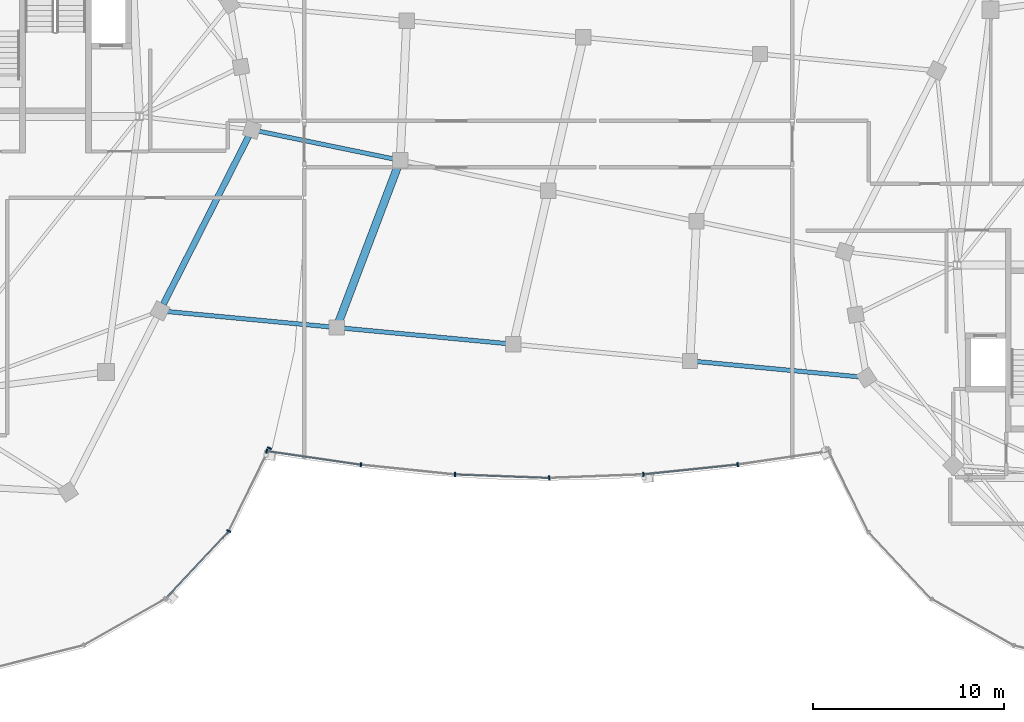
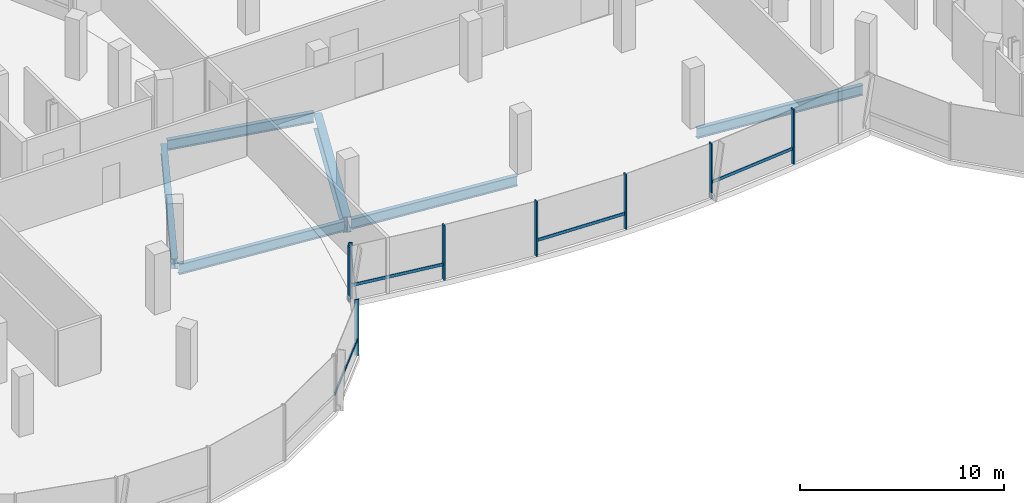
# One storey, part 4 of 24: 12 members, 6 beams, 2 elements without a shape of their own.
"""IFC4 building model written with IfcOpenShell, lengths in metres."""

from ifc_helpers import new_model, si_unit, direction, frame, origin, origin_2d, place, context, subcontext, project, spatial, rectangle, i_section, extrude, material, material_profile, profile_set, type_object, element, aggregate, save


model = new_model("IFC4")

# Units and contexts
model_context = context("Model", 3, precision=1e-05, world=origin(), true_north=direction((0.0, 1.0)))
body_context = subcontext(model_context, "Body", "Model", "MODEL_VIEW")
ifc_project = project(units=[si_unit("LENGTHUNIT", "METRE"), si_unit("AREAUNIT", "SQUARE_METRE"), si_unit("VOLUMEUNIT", "CUBIC_METRE"), si_unit("PLANEANGLEUNIT", "RADIAN"), si_unit("MASSUNIT", "GRAM", prefix="KILO"), si_unit("THERMODYNAMICTEMPERATUREUNIT", "KELVIN"), si_unit("POWERUNIT", "WATT")], contexts=[model_context])

# Site, building, storey
site_placement = place(None, origin())
site = spatial("IfcSite", under=ifc_project, at=site_placement, CompositionType="ELEMENT")
building_placement = place(site_placement, origin())
building = spatial("IfcBuilding", under=site, at=building_placement, Name="Cundina Bronze Exchange", CompositionType="ELEMENT")
storey_placement = place(building_placement, frame((0.0, 0.0, 268.39990234375)))
storey = spatial("IfcBuildingStorey", under=building, at=storey_placement, Name="L71", CompositionType="ELEMENT", Elevation=268.39990234375)

# Beams
ifc_material_1 = material(Name="Steel ASTM A992 Grade 50", Category="steel")
ifc_material_profile_1 = material_profile(ifc_material_1, i_section(OverallWidth=0.22998046875, OverallDepth=0.616943359375, WebThickness=0.01318359375, FlangeThickness=0.022216796875, FilletRadius=0.013916015625, at=origin_2d()), Name="W24X94", Category="steel")
ifc_profile_set_1 = profile_set([ifc_material_profile_1], Name="Steel ASTM A992 Grade 50")
beam_type_1 = type_object("IfcBeamType", Name="BM-FLR-W24B", PredefinedType="BEAM", material=ifc_profile_set_1)
for number, where, z_axis, x_axis, name in (
    (1, (-20.19580078125, -6.31689453125, -0.62841796875), (0.995572136276, -0.094000646124, 0.0), (0.094000646124, 0.995572136276, 0.0), "L71 Sky-Gate Longitudinal Girder Y1-P1"),
    (2, (-10.927001953125, -7.19189453125, -0.62841796875), (0.995572136276, -0.094000646124, 0.0), (0.094000646124, 0.995572136276, 0.0), "L71 Sky-Gate Longitudinal Girder Y1-P2"),
):
    element("IfcBeam", number, at=place(storey_placement, frame(where, z_axis=z_axis, x_axis=x_axis)), inside=storey, type_object=beam_type_1, Name=name, PredefinedType="BEAM", context=body_context, shape_type="SweptSolid", body=[
        extrude(i_section(OverallWidth=0.22998046875, OverallDepth=0.616943359375, WebThickness=0.01318359375, FlangeThickness=0.022216796875, FilletRadius=0.013916015625, at=origin_2d()), origin(), (0.0, 0.0, 1.0), 8.949951171875),
    ])
beam_1_placement = place(storey_placement, frame((7.610595703125, -8.94189453125, -0.62841796875), z_axis=(0.995571895232, -0.094003199007, 0.0), x_axis=(0.094003199007, 0.995571895232, 0.0)))
element("IfcBeam", 3, at=beam_1_placement, inside=storey, type_object=beam_type_1, Name="L71 Sky-Gate Longitudinal Girder Y1-P4", PredefinedType="BEAM", context=body_context, shape_type="SweptSolid", body=[
    extrude(i_section(OverallWidth=0.22998046875, OverallDepth=0.616943359375, WebThickness=0.01318359375, FlangeThickness=0.022216796875, FilletRadius=0.013916015625, at=origin_2d()), origin(), (0.0, 0.0, 1.0), 8.94970703125),
])
beam_2_placement = place(storey_placement, frame((-15.373779296875, 3.163818359375, -0.62841796875), z_axis=(0.979471264571, -0.20158383338, 0.0), x_axis=(0.20158383338, 0.979471264571, 0.0)))
element("IfcBeam", 4, at=beam_2_placement, inside=storey, type_object=beam_type_1, Name="L71 Sky-Gate Longitudinal Girder Y2-P1", PredefinedType="BEAM", context=body_context, shape_type="SweptSolid", body=[
    extrude(i_section(OverallWidth=0.22998046875, OverallDepth=0.616943359375, WebThickness=0.01318359375, FlangeThickness=0.022216796875, FilletRadius=0.013916015625, at=origin_2d()), origin(), (0.0, 0.0, 1.0), 7.577880859375),
])
ifc_material_profile_2 = material_profile(ifc_material_1, i_section(OverallWidth=0.324951171875, OverallDepth=0.615966796875, WebThickness=0.013916015625, FlangeThickness=0.021484375, FilletRadius=0.01611328125, at=origin_2d()), Name="W24X117", Category="steel")
ifc_profile_set_2 = profile_set([ifc_material_profile_2], Name="Steel ASTM A992 Grade 50")
beam_type_2 = type_object("IfcBeamType", Name="BM-RING-W24", PredefinedType="USERDEFINED", material=ifc_profile_set_2)
beam_3_placement = place(storey_placement, frame((-20.19921875, -5.9541015625, -0.56787109375), z_axis=(0.452839263805, 0.891592171991, 0.0), x_axis=(-0.891592171991, 0.452839263805, 0.0)))
element("IfcBeam", 5, at=beam_3_placement, inside=storey, type_object=beam_type_2, Name="L71 W Perimeter Ring Girder 13", ObjectType="GIRDER", PredefinedType="USERDEFINED", context=body_context, shape_type="SweptSolid", body=[
    extrude(i_section(OverallWidth=0.324951171875, OverallDepth=0.615966796875, WebThickness=0.013916015625, FlangeThickness=0.021484375, FilletRadius=0.01611328125, at=origin_2d()), origin(), (0.0, 0.0, 1.0), 9.879150390625),
])
ifc_material_profile_3 = material_profile(ifc_material_1, i_section(OverallWidth=0.41796875, OverallDepth=0.927001953125, WebThickness=0.019287109375, FlangeThickness=0.031982421875, FilletRadius=0.02392578125, at=origin_2d()), Name="W36X231", Category="steel")
ifc_profile_set_3 = profile_set([ifc_material_profile_3], Name="Steel ASTM A992 Grade 50")
beam_type_3 = type_object("IfcBeamType", Name="BM-WRN-W36B", PredefinedType="USERDEFINED", material=ifc_profile_set_3)
beam_4_placement = place(storey_placement, frame((-11.042236328125, -7.006591796875, -0.783447265625), z_axis=(0.354911890514, 0.934899753969, 0.0), x_axis=(-0.934899753969, 0.354911890514, 0.0)))
element("IfcBeam", 6, at=beam_4_placement, inside=storey, type_object=beam_type_3, Name="L71 Sky-Gate Transverse Girder X1-S", ObjectType="GIRDER", PredefinedType="USERDEFINED", context=body_context, shape_type="SweptSolid", body=[
    extrude(i_section(OverallWidth=0.41796875, OverallDepth=0.927001953125, WebThickness=0.019287109375, FlangeThickness=0.031982421875, FilletRadius=0.02392578125, at=origin_2d()), origin(), (0.0, 0.0, 1.0), 9.02587890625),
])

# Curtain wall, members
ifc_material_2 = material(Name="Anodised Bronze Aluminium 6063-T6", Category="aluminium")
curtain_wall_type = type_object("IfcCurtainWallType", Name="CWS-SKG-BRG", PredefinedType="NOTDEFINED", material=ifc_material_2)
curtain_wall_1_placement = place(storey_placement, origin())
curtain_wall_1 = element("IfcCurtainWall", 7, at=curtain_wall_1_placement, inside=storey, type_object=curtain_wall_type, Name="L71 CW-06 Curtain Wall Run CWR-L71-W4", PredefinedType="NOTDEFINED")
ifc_material_profile_4 = material_profile(ifc_material_2, rectangle(XDim=0.074951171875, YDim=0.219970703125, at=origin_2d()), Name="AL75X220", Category="aluminium")
ifc_profile_set_4 = profile_set([ifc_material_profile_4], Name="Anodised Bronze Aluminium 6063-T6")
member_type_1 = type_object("IfcMemberType", Name="CWM-MUL-220", PredefinedType="MULLION", material=ifc_profile_set_4)
member_1_placement = place(storey_placement, frame((-16.7666015625, -17.856689453125, 0.0), z_axis=(0.0, 0.0, 1.0), x_axis=(0.440566004113, 0.897720221461, 0.0)))
member_1 = element("IfcMember", 8, at=member_1_placement, type_object=member_type_1, Name="CW-06 Mullion 2", PredefinedType="MULLION", context=body_context, shape_type="SweptSolid", body=[
    extrude(rectangle(XDim=0.074951171875, YDim=0.219970703125, at=origin_2d()), origin(), (0.0, 0.0, 1.0), 3.340087890625),
])
member_2_placement = place(storey_placement, frame((-14.630859375, -13.50390625, 0.0), z_axis=(0.0, 0.0, 1.0), x_axis=(0.440566004113, 0.897720221461, 0.0)))
member_2 = element("IfcMember", 9, at=member_2_placement, type_object=member_type_1, Name="CW-06 End Mullion", PredefinedType="MULLION", context=body_context, shape_type="SweptSolid", body=[
    extrude(rectangle(XDim=0.074951171875, YDim=0.219970703125, at=origin_2d()), origin(), (0.0, 0.0, 1.0), 3.340087890625),
])

curtain_wall_2_placement = place(storey_placement, origin())
curtain_wall_2 = element("IfcCurtainWall", 10, at=curtain_wall_2_placement, inside=storey, type_object=curtain_wall_type, Name="L71 CW-06 Curtain Wall Run CWR-L71-BRGS", PredefinedType="NOTDEFINED")
member_3_placement = place(storey_placement, frame((-14.779296875, -13.658935546875, 0.0), z_axis=(0.0, 0.0, 1.0), x_axis=(0.989525789069, -0.144356201001, 0.0)))
member_3 = element("IfcMember", 11, at=member_3_placement, type_object=member_type_1, Name="CW-06 Mullion 1", PredefinedType="MULLION", context=body_context, shape_type="SweptSolid", body=[
    extrude(rectangle(XDim=0.074951171875, YDim=0.219970703125, at=origin_2d()), origin(), (0.0, 0.0, 1.0), 3.280029296875),
])
member_4_placement = place(storey_placement, frame((-9.83447265625, -14.378173828125, 0.0), z_axis=(0.0, 0.0, 1.0), x_axis=(0.994666875153, -0.103139747302, 0.0)))
member_4 = element("IfcMember", 12, at=member_4_placement, type_object=member_type_1, Name="CW-06 Mullion 2", PredefinedType="MULLION", context=body_context, shape_type="SweptSolid", body=[
    extrude(rectangle(XDim=0.074951171875, YDim=0.219970703125, at=origin_2d()), origin(), (0.0, 0.0, 1.0), 3.280029296875),
])
member_5_placement = place(storey_placement, frame((-4.892578125, -14.88720703125, 0.0), z_axis=(0.0, 0.0, 1.0), x_axis=(0.999302568116, -0.037341362551, 0.0)))
member_5 = element("IfcMember", 13, at=member_5_placement, type_object=member_type_1, Name="CW-06 Mullion 3", PredefinedType="MULLION", context=body_context, shape_type="SweptSolid", body=[
    extrude(rectangle(XDim=0.074951171875, YDim=0.219970703125, at=origin_2d()), origin(), (0.0, 0.0, 1.0), 3.280029296875),
])
member_6_placement = place(storey_placement, frame((0.047607421875, -15.068115234375, 0.0), z_axis=(0.0, 0.0, 1.0), x_axis=(0.999302568116, 0.037341362551, 0.0)))
member_6 = element("IfcMember", 14, at=member_6_placement, type_object=member_type_1, Name="CW-06 Mullion 4", PredefinedType="MULLION", context=body_context, shape_type="SweptSolid", body=[
    extrude(rectangle(XDim=0.074951171875, YDim=0.219970703125, at=origin_2d()), origin(), (0.0, 0.0, 1.0), 3.280029296875),
])
member_7_placement = place(storey_placement, frame((4.98876953125, -14.88037109375, 0.0), z_axis=(0.0, 0.0, 1.0), x_axis=(0.994666875153, 0.103139747302, 0.0)))
member_7 = element("IfcMember", 15, at=member_7_placement, type_object=member_type_1, Name="CW-06 Mullion 5", PredefinedType="MULLION", context=body_context, shape_type="SweptSolid", body=[
    extrude(rectangle(XDim=0.074951171875, YDim=0.219970703125, at=origin_2d()), origin(), (0.0, 0.0, 1.0), 3.280029296875),
])
member_8_placement = place(storey_placement, frame((9.93310546875, -14.36572265625, 0.0), z_axis=(0.0, 0.0, 1.0), x_axis=(0.989525789069, 0.144356201001, 0.0)))
member_8 = element("IfcMember", 16, at=member_8_placement, type_object=member_type_1, Name="CW-06 Mullion 6", PredefinedType="MULLION", context=body_context, shape_type="SweptSolid", body=[
    extrude(rectangle(XDim=0.074951171875, YDim=0.219970703125, at=origin_2d()), origin(), (0.0, 0.0, 1.0), 3.280029296875),
])

# Member
ifc_material_profile_5 = material_profile(ifc_material_2, rectangle(XDim=0.070068359375, YDim=0.179931640625, at=origin_2d()), Name="AL70X180", Category="aluminium")
ifc_profile_set_5 = profile_set([ifc_material_profile_5], Name="Anodised Bronze Aluminium 6063-T6")
member_type_2 = type_object("IfcMemberType", Name="CWM-TRN-180", PredefinedType="USERDEFINED", material=ifc_profile_set_5)
member_9_placement = place(storey_placement, frame((-20.031494140625, -21.349609375, 0.920166015625), z_axis=(0.684328474899, 0.729173873944, 0.0), x_axis=(-0.729173873944, 0.684328474899, 0.0)))
member_9 = element("IfcMember", 17, at=member_9_placement, type_object=member_type_2, Name="CW-06 Spandrel Transom 1", ObjectType="TRANSOM", PredefinedType="USERDEFINED", context=body_context, shape_type="SweptSolid", body=[
    extrude(rectangle(XDim=0.070068359375, YDim=0.179931640625, at=origin_2d()), origin(), (0.0, 0.0, 1.0), 4.758056640625),
])

aggregate(curtain_wall_1, [member_9, member_1, member_2])

member_10_placement = place(storey_placement, frame((-14.738525390625, -13.664794921875, 0.91845703125), z_axis=(0.989531497997, -0.144317062302, 0.0), x_axis=(0.144317062302, 0.989531497997, 0.0)))
member_10 = element("IfcMember", 18, at=member_10_placement, type_object=member_type_2, Name="CW-06 Spandrel Transom 1", ObjectType="TRANSOM", PredefinedType="USERDEFINED", context=body_context, shape_type="SweptSolid", body=[
    extrude(rectangle(XDim=0.070068359375, YDim=0.179931640625, at=origin_2d()), origin(), (0.0, 0.0, 1.0), 4.8974609375),
])

member_11_placement = place(storey_placement, frame((-4.8515625, -14.888671875, 0.91845703125), z_axis=(0.999303683555, -0.037311500026, 0.0), x_axis=(0.037311500026, 0.999303683555, 0.0)))
member_11 = element("IfcMember", 19, at=member_11_placement, type_object=member_type_2, Name="CW-06 Spandrel Transom 3", ObjectType="TRANSOM", PredefinedType="USERDEFINED", context=body_context, shape_type="SweptSolid", body=[
    extrude(rectangle(XDim=0.070068359375, YDim=0.179931640625, at=origin_2d()), origin(), (0.0, 0.0, 1.0), 4.8486328125),
])

member_12_placement = place(storey_placement, frame((5.02978515625, -14.8759765625, 0.91845703125), z_axis=(0.994672497027, 0.103085516243, 0.0), x_axis=(-0.103085516243, 0.994672497027, 0.0)))
member_12 = element("IfcMember", 20, at=member_12_placement, type_object=member_type_2, Name="CW-06 Spandrel Transom 5", ObjectType="TRANSOM", PredefinedType="USERDEFINED", context=body_context, shape_type="SweptSolid", body=[
    extrude(rectangle(XDim=0.070068359375, YDim=0.179931640625, at=origin_2d()), origin(), (0.0, 0.0, 1.0), 4.87158203125),
])

aggregate(curtain_wall_2, [member_3, member_10, member_4, member_5, member_11, member_6, member_7, member_12, member_8])

save(model, "model.ifc")
